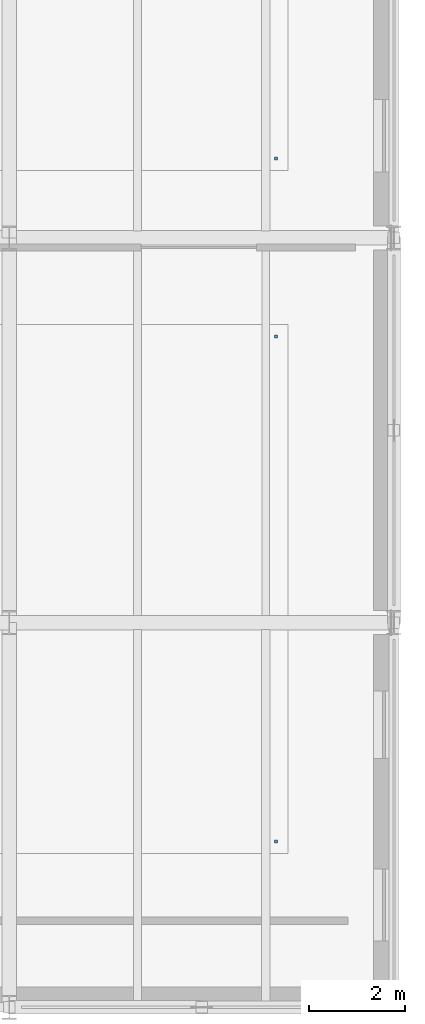
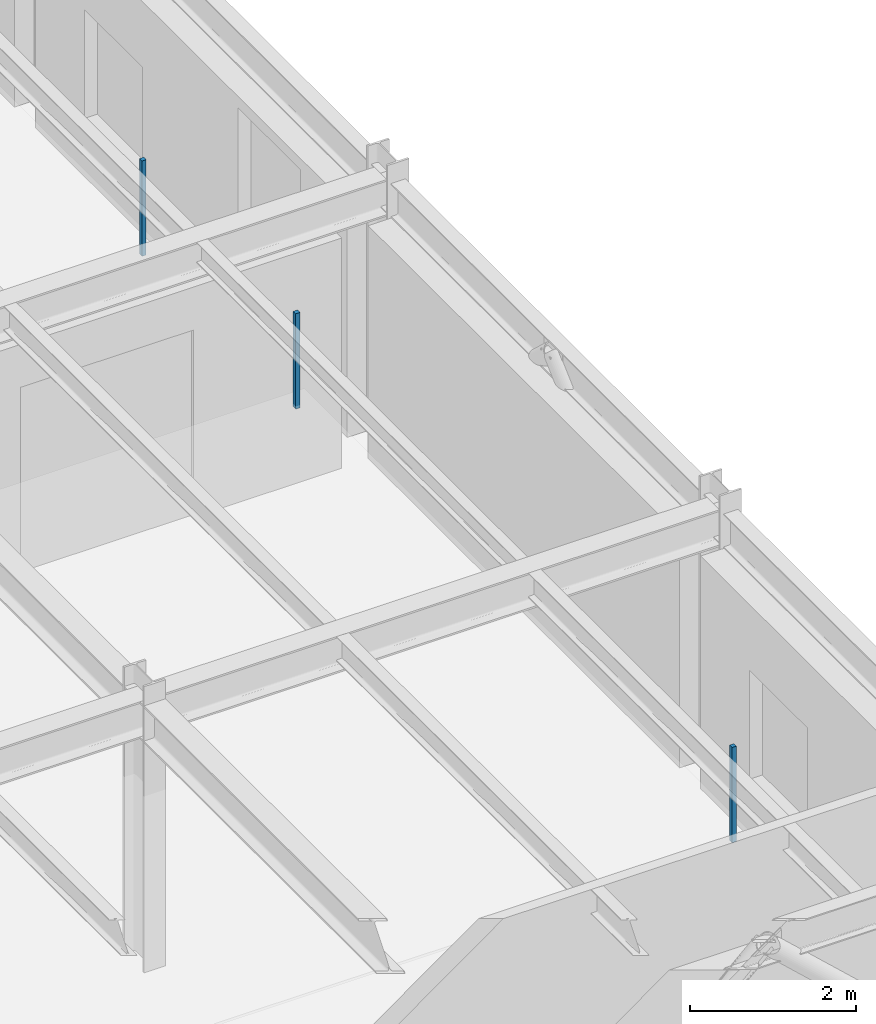
# One storey, part 101 of 122: 3 discrete accessories.
"""IFC4 building model written with IfcOpenShell, lengths in metres."""

from ifc_helpers import new_model, si_unit, direction, frame, origin, origin_2d, place, context, subcontext, project, spatial, rectangle, extrude, material, type_object, element, save


model = new_model("IFC4")

# Units and contexts
model_context = context("Model", 3, precision=1e-05, world=origin(), true_north=direction((0.0, 1.0)))
body_context = subcontext(model_context, "Body", "Model", "MODEL_VIEW")
ifc_project = project(units=[si_unit("LENGTHUNIT", "METRE"), si_unit("AREAUNIT", "SQUARE_METRE"), si_unit("VOLUMEUNIT", "CUBIC_METRE"), si_unit("PLANEANGLEUNIT", "RADIAN"), si_unit("MASSUNIT", "GRAM", prefix="KILO")], contexts=[model_context])

# Site, building, storey
site_placement = place(None, origin())
site = spatial("IfcSite", under=ifc_project, at=site_placement, CompositionType="ELEMENT")
building_placement = place(site_placement, origin())
building = spatial("IfcBuilding", under=site, at=building_placement, Name="Sundkrona Museum", CompositionType="ELEMENT")
storey_placement = place(building_placement, frame((0.0, 0.0, 5.39990234375)))
storey = spatial("IfcBuildingStorey", under=building, at=storey_placement, Name="L01", CompositionType="ELEMENT", Elevation=5.39990234375)

# Discrete accessories
ifc_material = material(Name="Stainless Steel EN 1.4404 Cleat", Category="steel")
discrete_accessory_type = type_object("IfcDiscreteAccessoryType", Name="BRK-FIN-01", PredefinedType="BRACKET", material=ifc_material)
for number, where, z_axis, x_axis, name in (
    (1, (165.550048828125, 3.449951171875, 2.550048828125), (0.0, 0.0, 1.0), (1.0, 0.0, 0.0), "L01 Mineralogy and Geology Cabinet Ceiling Hanger 2"),
    (2, (165.550048828125, 13.949951171875, 2.550048828125), (0.0, 0.0, 1.0), (1.0, 0.0, 0.0), "L01 Mineralogy and Geology Cabinet Ceiling Hanger 3"),
    (3, (165.550048828125, 17.64990234375, 2.550048828125), (0.0, 0.0, 1.0), (1.0, 0.0, 0.0), "L01 Amber and Fossil Mezzanine Gallery Ceiling Hanger 2"),
):
    element("IfcDiscreteAccessory", number, at=place(storey_placement, frame(where, z_axis=z_axis, x_axis=x_axis)), inside=storey, type_object=discrete_accessory_type, Name=name, PredefinedType="BRACKET", context=body_context, shape_type="SweptSolid", body=[
        extrude(rectangle(XDim=0.06005859375, YDim=0.06005859375, at=origin_2d()), origin(), (0.0, 0.0, 1.0), 1.39990234375),
    ])

save(model, "model.ifc")
